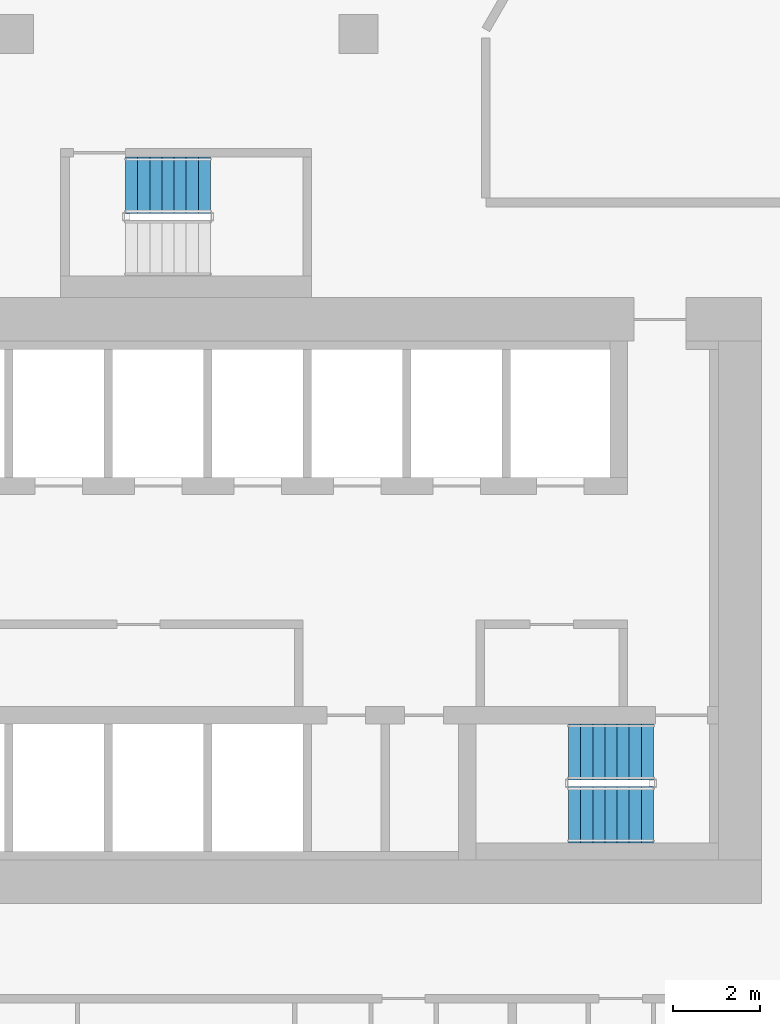
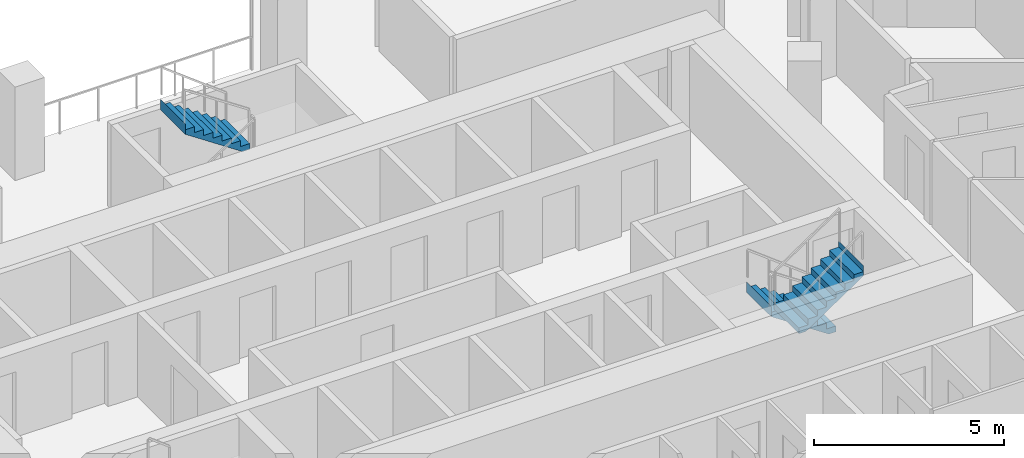
# One storey, part 11 of 15: 3 stair flights, 2 elements without a shape of their own.
"""IFC4 building model written with IfcOpenShell, lengths in metres."""

from ifc_helpers import new_model, si_unit, direction, frame, origin, place, context, subcontext, project, spatial, triangles, material, type_object, element, aggregate, save


model = new_model("IFC4")

# Units and contexts
model_context = context("Model", 3, precision=1e-05, world=origin(), true_north=direction((0.0, 1.0)))
body_context = subcontext(model_context, "Body", "Model", "MODEL_VIEW")
ifc_project = project(units=[si_unit("LENGTHUNIT", "METRE"), si_unit("AREAUNIT", "SQUARE_METRE"), si_unit("VOLUMEUNIT", "CUBIC_METRE"), si_unit("PLANEANGLEUNIT", "RADIAN"), si_unit("MASSUNIT", "GRAM", prefix="KILO")], contexts=[model_context])

# Site, building, storey
site_placement = place(None, origin())
site = spatial("IfcSite", under=ifc_project, at=site_placement, CompositionType="ELEMENT")
building_placement = place(site_placement, origin())
building = spatial("IfcBuilding", under=site, at=building_placement, Name="Beryl Residences", CompositionType="ELEMENT")
storey_placement = place(building_placement, frame((0.0, 0.0, 84.0)))
storey = spatial("IfcBuildingStorey", under=building, at=storey_placement, Name="L25", CompositionType="ELEMENT", Elevation=84.0)

# Stair, stair flights
ifc_material_1 = material(Name="Concrete C40/50", Category="concrete")
stair_type = type_object("IfcStairType", Name="ST1 protected exit stair, half-turn, 1300 mm flights", PredefinedType="HALF_TURN_STAIR", material=ifc_material_1)
stair_1_placement = place(storey_placement, origin())
stair_1 = element("IfcStair", 1, at=stair_1_placement, inside=storey, type_object=stair_type, Name="L25 PROTECTED EXIT STAIR ST-3", PredefinedType="HALF_TURN_STAIR")
ifc_material_2 = material(Name="Concrete C40/50", Category="concrete")
stair_flight_type = type_object("IfcStairFlightType", Name="SF1 stair flight 1300 mm", PredefinedType="STRAIGHT", material=ifc_material_2)
stair_flight_1_placement = place(storey_placement, frame((10.800048828125, -15.5, 0.0), z_axis=(0.0, 0.0, 1.0), x_axis=(-1.0, 0.0, 0.0)))
stair_flight_1 = element("IfcStairFlight", 2, at=stair_flight_1_placement, type_object=stair_flight_type, Name="ST-3 flight 1", NumberOfRisers=8, NumberOfTreads=7, PredefinedType="STRAIGHT", RiserHeight=0.1875, TreadLength=0.28, context=body_context, shape_type="Tessellation", body=[
    triangles([(0.0, -0.64990234375, 0.0), (0.0, -0.324951171875, 0.0), (0.0, 0.0, 0.0), (0.0, 0.324951171875, 0.0), (0.0, 0.64990234375, 0.0), (0.0, -0.64990234375, 0.1875), (0.0, -0.324951171875, 0.1875), (0.0, 0.0, 0.1875), (0.0, 0.324951171875, 0.1875), (0.0, 0.64990234375, 0.1875), (0.280029296875, -0.64990234375, 0.1875), (0.280029296875, -0.324951171875, 0.1875), (0.280029296875, 0.0, 0.1875), (0.280029296875, 0.324951171875, 0.1875), (0.280029296875, 0.64990234375, 0.1875), (0.280029296875, -0.64990234375, 0.375), (0.280029296875, -0.324951171875, 0.375), (0.280029296875, 0.0, 0.375), (0.280029296875, 0.324951171875, 0.375), (0.280029296875, 0.64990234375, 0.375), (0.56005859375, -0.64990234375, 0.375), (0.56005859375, -0.324951171875, 0.375), (0.56005859375, 0.0, 0.375), (0.56005859375, 0.324951171875, 0.375), (0.56005859375, 0.64990234375, 0.375), (0.56005859375, -0.64990234375, 0.5625), (0.56005859375, -0.324951171875, 0.5625), (0.56005859375, 0.0, 0.5625), (0.56005859375, 0.324951171875, 0.5625), (0.56005859375, 0.64990234375, 0.5625), (0.840087890625, -0.64990234375, 0.5625), (0.840087890625, -0.324951171875, 0.5625), (0.840087890625, 0.0, 0.5625), (0.840087890625, 0.324951171875, 0.5625), (0.840087890625, 0.64990234375, 0.5625), (0.840087890625, -0.64990234375, 0.75), (0.840087890625, -0.324951171875, 0.75), (0.840087890625, 0.0, 0.75), (0.840087890625, 0.324951171875, 0.75), (0.840087890625, 0.64990234375, 0.75), (1.1201171875, -0.64990234375, 0.75), (1.1201171875, -0.324951171875, 0.75), (1.1201171875, 0.0, 0.75), (1.1201171875, 0.324951171875, 0.75), (1.1201171875, 0.64990234375, 0.75), (1.1201171875, -0.64990234375, 0.9375), (1.1201171875, -0.324951171875, 0.9375), (1.1201171875, 0.0, 0.9375), (1.1201171875, 0.324951171875, 0.9375), (1.1201171875, 0.64990234375, 0.9375), (1.39990234375, -0.64990234375, 0.9375), (1.39990234375, -0.324951171875, 0.9375), (1.39990234375, 0.0, 0.9375), (1.39990234375, 0.324951171875, 0.9375), (1.39990234375, 0.64990234375, 0.9375), (1.39990234375, -0.64990234375, 1.125), (1.39990234375, -0.324951171875, 1.125), (1.39990234375, 0.0, 1.125), (1.39990234375, 0.324951171875, 1.125), (1.39990234375, 0.64990234375, 1.125), (1.679931640625, -0.64990234375, 1.125), (1.679931640625, -0.324951171875, 1.125), (1.679931640625, 0.0, 1.125), (1.679931640625, 0.324951171875, 1.125), (1.679931640625, 0.64990234375, 1.125), (1.679931640625, -0.64990234375, 1.3125), (1.679931640625, -0.324951171875, 1.3125), (1.679931640625, 0.0, 1.3125), (1.679931640625, 0.324951171875, 1.3125), (1.679931640625, 0.64990234375, 1.3125), (1.9599609375, -0.64990234375, 1.3125), (1.9599609375, -0.324951171875, 1.3125), (1.9599609375, 0.0, 1.3125), (1.9599609375, 0.324951171875, 1.3125), (1.9599609375, 0.64990234375, 1.3125), (1.9599609375, -0.64990234375, 1.5), (1.9599609375, -0.324951171875, 1.5), (1.9599609375, 0.0, 1.5), (1.9599609375, 0.324951171875, 1.5), (1.9599609375, 0.64990234375, 1.5), (1.9609375, -0.64990234375, 1.5), (1.9609375, -0.324951171875, 1.5), (1.9609375, 0.0, 1.5), (1.9609375, 0.324951171875, 1.5), (1.9609375, 0.64990234375, 1.5), (1.9609375, -0.64990234375, 1.16796875), (1.9609375, -0.324951171875, 1.16796875), (1.9609375, 0.0, 1.16796875), (1.9609375, 0.324951171875, 1.16796875), (1.9609375, 0.64990234375, 1.16796875), (0.216796875, -0.64990234375, 0.0), (0.216796875, -0.324951171875, 0.0), (0.216796875, 0.0, 0.0), (0.216796875, 0.324951171875, 0.0), (0.216796875, 0.64990234375, 0.0)], [[1, 6, 7], [1, 7, 2], [2, 7, 8], [2, 8, 3], [3, 8, 9], [3, 9, 4], [4, 9, 10], [4, 10, 5], [6, 11, 12], [6, 12, 7], [7, 12, 13], [7, 13, 8], [8, 13, 14], [8, 14, 9], [9, 14, 15], [9, 15, 10], [11, 16, 17], [11, 17, 12], [12, 17, 18], [12, 18, 13], [13, 18, 19], [13, 19, 14], [14, 19, 20], [14, 20, 15], [16, 21, 22], [16, 22, 17], [17, 22, 23], [17, 23, 18], [18, 23, 24], [18, 24, 19], [19, 24, 25], [19, 25, 20], [21, 26, 27], [21, 27, 22], [22, 27, 28], [22, 28, 23], [23, 28, 29], [23, 29, 24], [24, 29, 30], [24, 30, 25], [26, 31, 32], [26, 32, 27], [27, 32, 33], [27, 33, 28], [28, 33, 34], [28, 34, 29], [29, 34, 35], [29, 35, 30], [31, 36, 37], [31, 37, 32], [32, 37, 38], [32, 38, 33], [33, 38, 39], [33, 39, 34], [34, 39, 40], [34, 40, 35], [36, 41, 42], [36, 42, 37], [37, 42, 43], [37, 43, 38], [38, 43, 44], [38, 44, 39], [39, 44, 45], [39, 45, 40], [41, 46, 47], [41, 47, 42], [42, 47, 48], [42, 48, 43], [43, 48, 49], [43, 49, 44], [44, 49, 50], [44, 50, 45], [46, 51, 52], [46, 52, 47], [47, 52, 53], [47, 53, 48], [48, 53, 54], [48, 54, 49], [49, 54, 55], [49, 55, 50], [51, 56, 57], [51, 57, 52], [52, 57, 58], [52, 58, 53], [53, 58, 59], [53, 59, 54], [54, 59, 60], [54, 60, 55], [56, 61, 62], [56, 62, 57], [57, 62, 63], [57, 63, 58], [58, 63, 64], [58, 64, 59], [59, 64, 65], [59, 65, 60], [61, 66, 67], [61, 67, 62], [62, 67, 68], [62, 68, 63], [63, 68, 69], [63, 69, 64], [64, 69, 70], [64, 70, 65], [66, 71, 72], [66, 72, 67], [67, 72, 73], [67, 73, 68], [68, 73, 74], [68, 74, 69], [69, 74, 75], [69, 75, 70], [71, 76, 77], [71, 77, 72], [72, 77, 78], [72, 78, 73], [73, 78, 79], [73, 79, 74], [74, 79, 80], [74, 80, 75], [76, 81, 82], [76, 82, 77], [77, 82, 83], [77, 83, 78], [78, 83, 84], [78, 84, 79], [79, 84, 85], [79, 85, 80], [81, 86, 87], [81, 87, 82], [82, 87, 88], [82, 88, 83], [83, 88, 89], [83, 89, 84], [84, 89, 90], [84, 90, 85], [86, 91, 92], [86, 92, 87], [87, 92, 93], [87, 93, 88], [88, 93, 94], [88, 94, 89], [89, 94, 95], [89, 95, 90], [91, 1, 2], [91, 2, 92], [92, 2, 3], [92, 3, 93], [93, 3, 4], [93, 4, 94], [94, 4, 5], [94, 5, 95], [1, 91, 86], [5, 90, 95], [86, 81, 76], [90, 80, 85], [86, 76, 71], [90, 75, 80], [86, 71, 66], [90, 70, 75], [86, 66, 61], [90, 65, 70], [61, 56, 51], [65, 55, 60], [86, 61, 51], [90, 55, 65], [51, 46, 41], [55, 45, 50], [86, 51, 41], [90, 45, 55], [41, 36, 31], [45, 35, 40], [86, 41, 31], [90, 35, 45], [31, 26, 21], [35, 25, 30], [86, 31, 21], [90, 25, 35], [21, 16, 11], [25, 15, 20], [86, 21, 11], [90, 15, 25], [1, 86, 11], [5, 15, 90], [11, 6, 1], [15, 5, 10]], closed=True),
])
stair_flight_2_placement = place(storey_placement, frame((8.840087890625, -16.949951171875, 1.5), z_axis=(0.0, 0.0, 1.0), x_axis=(1.0, 0.0, 0.0)))
stair_flight_2 = element("IfcStairFlight", 3, at=stair_flight_2_placement, type_object=stair_flight_type, Name="ST-3 flight 2", NumberOfRisers=8, NumberOfTreads=7, PredefinedType="STRAIGHT", RiserHeight=0.1875, TreadLength=0.28, context=body_context, shape_type="Tessellation", body=[
    triangles([(0.0, -0.64990234375, 0.0), (0.0, -0.324951171875, 0.0), (0.0, 0.0, 0.0), (0.0, 0.324951171875, 0.0), (0.0, 0.64990234375, 0.0), (0.0, -0.64990234375, 0.1875), (0.0, -0.324951171875, 0.1875), (0.0, 0.0, 0.1875), (0.0, 0.324951171875, 0.1875), (0.0, 0.64990234375, 0.1875), (0.280029296875, -0.64990234375, 0.1875), (0.280029296875, -0.324951171875, 0.1875), (0.280029296875, 0.0, 0.1875), (0.280029296875, 0.324951171875, 0.1875), (0.280029296875, 0.64990234375, 0.1875), (0.280029296875, -0.64990234375, 0.375), (0.280029296875, -0.324951171875, 0.375), (0.280029296875, 0.0, 0.375), (0.280029296875, 0.324951171875, 0.375), (0.280029296875, 0.64990234375, 0.375), (0.56005859375, -0.64990234375, 0.375), (0.56005859375, -0.324951171875, 0.375), (0.56005859375, 0.0, 0.375), (0.56005859375, 0.324951171875, 0.375), (0.56005859375, 0.64990234375, 0.375), (0.56005859375, -0.64990234375, 0.5625), (0.56005859375, -0.324951171875, 0.5625), (0.56005859375, 0.0, 0.5625), (0.56005859375, 0.324951171875, 0.5625), (0.56005859375, 0.64990234375, 0.5625), (0.840087890625, -0.64990234375, 0.5625), (0.840087890625, -0.324951171875, 0.5625), (0.840087890625, 0.0, 0.5625), (0.840087890625, 0.324951171875, 0.5625), (0.840087890625, 0.64990234375, 0.5625), (0.840087890625, -0.64990234375, 0.75), (0.840087890625, -0.324951171875, 0.75), (0.840087890625, 0.0, 0.75), (0.840087890625, 0.324951171875, 0.75), (0.840087890625, 0.64990234375, 0.75), (1.1201171875, -0.64990234375, 0.75), (1.1201171875, -0.324951171875, 0.75), (1.1201171875, 0.0, 0.75), (1.1201171875, 0.324951171875, 0.75), (1.1201171875, 0.64990234375, 0.75), (1.1201171875, -0.64990234375, 0.9375), (1.1201171875, -0.324951171875, 0.9375), (1.1201171875, 0.0, 0.9375), (1.1201171875, 0.324951171875, 0.9375), (1.1201171875, 0.64990234375, 0.9375), (1.39990234375, -0.64990234375, 0.9375), (1.39990234375, -0.324951171875, 0.9375), (1.39990234375, 0.0, 0.9375), (1.39990234375, 0.324951171875, 0.9375), (1.39990234375, 0.64990234375, 0.9375), (1.39990234375, -0.64990234375, 1.125), (1.39990234375, -0.324951171875, 1.125), (1.39990234375, 0.0, 1.125), (1.39990234375, 0.324951171875, 1.125), (1.39990234375, 0.64990234375, 1.125), (1.679931640625, -0.64990234375, 1.125), (1.679931640625, -0.324951171875, 1.125), (1.679931640625, 0.0, 1.125), (1.679931640625, 0.324951171875, 1.125), (1.679931640625, 0.64990234375, 1.125), (1.679931640625, -0.64990234375, 1.3125), (1.679931640625, -0.324951171875, 1.3125), (1.679931640625, 0.0, 1.3125), (1.679931640625, 0.324951171875, 1.3125), (1.679931640625, 0.64990234375, 1.3125), (1.9599609375, -0.64990234375, 1.3125), (1.9599609375, -0.324951171875, 1.3125), (1.9599609375, 0.0, 1.3125), (1.9599609375, 0.324951171875, 1.3125), (1.9599609375, 0.64990234375, 1.3125), (1.9599609375, -0.64990234375, 1.5), (1.9599609375, -0.324951171875, 1.5), (1.9599609375, 0.0, 1.5), (1.9599609375, 0.324951171875, 1.5), (1.9599609375, 0.64990234375, 1.5), (1.9609375, -0.64990234375, 1.5), (1.9609375, -0.324951171875, 1.5), (1.9609375, 0.0, 1.5), (1.9609375, 0.324951171875, 1.5), (1.9609375, 0.64990234375, 1.5), (1.9609375, -0.64990234375, 1.16796875), (1.9609375, -0.324951171875, 1.16796875), (1.9609375, 0.0, 1.16796875), (1.9609375, 0.324951171875, 1.16796875), (1.9609375, 0.64990234375, 1.16796875), (0.216796875, -0.64990234375, 0.0), (0.216796875, -0.324951171875, 0.0), (0.216796875, 0.0, 0.0), (0.216796875, 0.324951171875, 0.0), (0.216796875, 0.64990234375, 0.0)], [[1, 6, 7], [1, 7, 2], [2, 7, 8], [2, 8, 3], [3, 8, 9], [3, 9, 4], [4, 9, 10], [4, 10, 5], [6, 11, 12], [6, 12, 7], [7, 12, 13], [7, 13, 8], [8, 13, 14], [8, 14, 9], [9, 14, 15], [9, 15, 10], [11, 16, 17], [11, 17, 12], [12, 17, 18], [12, 18, 13], [13, 18, 19], [13, 19, 14], [14, 19, 20], [14, 20, 15], [16, 21, 22], [16, 22, 17], [17, 22, 23], [17, 23, 18], [18, 23, 24], [18, 24, 19], [19, 24, 25], [19, 25, 20], [21, 26, 27], [21, 27, 22], [22, 27, 28], [22, 28, 23], [23, 28, 29], [23, 29, 24], [24, 29, 30], [24, 30, 25], [26, 31, 32], [26, 32, 27], [27, 32, 33], [27, 33, 28], [28, 33, 34], [28, 34, 29], [29, 34, 35], [29, 35, 30], [31, 36, 37], [31, 37, 32], [32, 37, 38], [32, 38, 33], [33, 38, 39], [33, 39, 34], [34, 39, 40], [34, 40, 35], [36, 41, 42], [36, 42, 37], [37, 42, 43], [37, 43, 38], [38, 43, 44], [38, 44, 39], [39, 44, 45], [39, 45, 40], [41, 46, 47], [41, 47, 42], [42, 47, 48], [42, 48, 43], [43, 48, 49], [43, 49, 44], [44, 49, 50], [44, 50, 45], [46, 51, 52], [46, 52, 47], [47, 52, 53], [47, 53, 48], [48, 53, 54], [48, 54, 49], [49, 54, 55], [49, 55, 50], [51, 56, 57], [51, 57, 52], [52, 57, 58], [52, 58, 53], [53, 58, 59], [53, 59, 54], [54, 59, 60], [54, 60, 55], [56, 61, 62], [56, 62, 57], [57, 62, 63], [57, 63, 58], [58, 63, 64], [58, 64, 59], [59, 64, 65], [59, 65, 60], [61, 66, 67], [61, 67, 62], [62, 67, 68], [62, 68, 63], [63, 68, 69], [63, 69, 64], [64, 69, 70], [64, 70, 65], [66, 71, 72], [66, 72, 67], [67, 72, 73], [67, 73, 68], [68, 73, 74], [68, 74, 69], [69, 74, 75], [69, 75, 70], [71, 76, 77], [71, 77, 72], [72, 77, 78], [72, 78, 73], [73, 78, 79], [73, 79, 74], [74, 79, 80], [74, 80, 75], [76, 81, 82], [76, 82, 77], [77, 82, 83], [77, 83, 78], [78, 83, 84], [78, 84, 79], [79, 84, 85], [79, 85, 80], [81, 86, 87], [81, 87, 82], [82, 87, 88], [82, 88, 83], [83, 88, 89], [83, 89, 84], [84, 89, 90], [84, 90, 85], [86, 91, 92], [86, 92, 87], [87, 92, 93], [87, 93, 88], [88, 93, 94], [88, 94, 89], [89, 94, 95], [89, 95, 90], [91, 1, 2], [91, 2, 92], [92, 2, 3], [92, 3, 93], [93, 3, 4], [93, 4, 94], [94, 4, 5], [94, 5, 95], [1, 91, 86], [5, 90, 95], [86, 81, 76], [90, 80, 85], [86, 76, 71], [90, 75, 80], [86, 71, 66], [90, 70, 75], [86, 66, 61], [90, 65, 70], [61, 56, 51], [65, 55, 60], [86, 61, 51], [90, 55, 65], [51, 46, 41], [55, 45, 50], [86, 51, 41], [90, 45, 55], [41, 36, 31], [45, 35, 40], [86, 41, 31], [90, 35, 45], [31, 26, 21], [35, 25, 30], [86, 31, 21], [90, 25, 35], [21, 16, 11], [25, 15, 20], [86, 21, 11], [90, 15, 25], [1, 86, 11], [5, 15, 90], [11, 6, 1], [15, 5, 10]], closed=True),
])
aggregate(stair_1, [stair_flight_1, stair_flight_2])

# Stair, stair flight
stair_2_placement = place(storey_placement, origin())
stair_2 = element("IfcStair", 4, at=stair_2_placement, inside=storey, type_object=stair_type, Name="L25 PROTECTED EXIT STAIR ST-4", PredefinedType="HALF_TURN_STAIR")
stair_flight_3_placement = place(storey_placement, frame((0.56005859375, -2.39990234375, 1.5), z_axis=(0.0, 0.0, 1.0), x_axis=(-1.0, 0.0, 0.0)))
stair_flight_3 = element("IfcStairFlight", 5, at=stair_flight_3_placement, type_object=stair_flight_type, Name="ST-4 flight 2", NumberOfRisers=8, NumberOfTreads=7, PredefinedType="STRAIGHT", RiserHeight=0.1875, TreadLength=0.28, context=body_context, shape_type="Tessellation", body=[
    triangles([(0.0, -0.64990234375, 0.0), (0.0, -0.324951171875, 0.0), (0.0, 0.0, 0.0), (0.0, 0.324951171875, 0.0), (0.0, 0.64990234375, 0.0), (0.0, -0.64990234375, 0.1875), (0.0, -0.324951171875, 0.1875), (0.0, 0.0, 0.1875), (0.0, 0.324951171875, 0.1875), (0.0, 0.64990234375, 0.1875), (0.280029296875, -0.64990234375, 0.1875), (0.280029296875, -0.324951171875, 0.1875), (0.280029296875, 0.0, 0.1875), (0.280029296875, 0.324951171875, 0.1875), (0.280029296875, 0.64990234375, 0.1875), (0.280029296875, -0.64990234375, 0.375), (0.280029296875, -0.324951171875, 0.375), (0.280029296875, 0.0, 0.375), (0.280029296875, 0.324951171875, 0.375), (0.280029296875, 0.64990234375, 0.375), (0.56005859375, -0.64990234375, 0.375), (0.56005859375, -0.324951171875, 0.375), (0.56005859375, 0.0, 0.375), (0.56005859375, 0.324951171875, 0.375), (0.56005859375, 0.64990234375, 0.375), (0.56005859375, -0.64990234375, 0.5625), (0.56005859375, -0.324951171875, 0.5625), (0.56005859375, 0.0, 0.5625), (0.56005859375, 0.324951171875, 0.5625), (0.56005859375, 0.64990234375, 0.5625), (0.840087890625, -0.64990234375, 0.5625), (0.840087890625, -0.324951171875, 0.5625), (0.840087890625, 0.0, 0.5625), (0.840087890625, 0.324951171875, 0.5625), (0.840087890625, 0.64990234375, 0.5625), (0.840087890625, -0.64990234375, 0.75), (0.840087890625, -0.324951171875, 0.75), (0.840087890625, 0.0, 0.75), (0.840087890625, 0.324951171875, 0.75), (0.840087890625, 0.64990234375, 0.75), (1.1201171875, -0.64990234375, 0.75), (1.1201171875, -0.324951171875, 0.75), (1.1201171875, 0.0, 0.75), (1.1201171875, 0.324951171875, 0.75), (1.1201171875, 0.64990234375, 0.75), (1.1201171875, -0.64990234375, 0.9375), (1.1201171875, -0.324951171875, 0.9375), (1.1201171875, 0.0, 0.9375), (1.1201171875, 0.324951171875, 0.9375), (1.1201171875, 0.64990234375, 0.9375), (1.39990234375, -0.64990234375, 0.9375), (1.39990234375, -0.324951171875, 0.9375), (1.39990234375, 0.0, 0.9375), (1.39990234375, 0.324951171875, 0.9375), (1.39990234375, 0.64990234375, 0.9375), (1.39990234375, -0.64990234375, 1.125), (1.39990234375, -0.324951171875, 1.125), (1.39990234375, 0.0, 1.125), (1.39990234375, 0.324951171875, 1.125), (1.39990234375, 0.64990234375, 1.125), (1.679931640625, -0.64990234375, 1.125), (1.679931640625, -0.324951171875, 1.125), (1.679931640625, 0.0, 1.125), (1.679931640625, 0.324951171875, 1.125), (1.679931640625, 0.64990234375, 1.125), (1.679931640625, -0.64990234375, 1.3125), (1.679931640625, -0.324951171875, 1.3125), (1.679931640625, 0.0, 1.3125), (1.679931640625, 0.324951171875, 1.3125), (1.679931640625, 0.64990234375, 1.3125), (1.9599609375, -0.64990234375, 1.3125), (1.9599609375, -0.324951171875, 1.3125), (1.9599609375, 0.0, 1.3125), (1.9599609375, 0.324951171875, 1.3125), (1.9599609375, 0.64990234375, 1.3125), (1.9599609375, -0.64990234375, 1.5), (1.9599609375, -0.324951171875, 1.5), (1.9599609375, 0.0, 1.5), (1.9599609375, 0.324951171875, 1.5), (1.9599609375, 0.64990234375, 1.5), (1.9609375, -0.64990234375, 1.5), (1.9609375, -0.324951171875, 1.5), (1.9609375, 0.0, 1.5), (1.9609375, 0.324951171875, 1.5), (1.9609375, 0.64990234375, 1.5), (1.9609375, -0.64990234375, 1.16796875), (1.9609375, -0.324951171875, 1.16796875), (1.9609375, 0.0, 1.16796875), (1.9609375, 0.324951171875, 1.16796875), (1.9609375, 0.64990234375, 1.16796875), (0.216796875, -0.64990234375, 0.0), (0.216796875, -0.324951171875, 0.0), (0.216796875, 0.0, 0.0), (0.216796875, 0.324951171875, 0.0), (0.216796875, 0.64990234375, 0.0)], [[1, 6, 7], [1, 7, 2], [2, 7, 8], [2, 8, 3], [3, 8, 9], [3, 9, 4], [4, 9, 10], [4, 10, 5], [6, 11, 12], [6, 12, 7], [7, 12, 13], [7, 13, 8], [8, 13, 14], [8, 14, 9], [9, 14, 15], [9, 15, 10], [11, 16, 17], [11, 17, 12], [12, 17, 18], [12, 18, 13], [13, 18, 19], [13, 19, 14], [14, 19, 20], [14, 20, 15], [16, 21, 22], [16, 22, 17], [17, 22, 23], [17, 23, 18], [18, 23, 24], [18, 24, 19], [19, 24, 25], [19, 25, 20], [21, 26, 27], [21, 27, 22], [22, 27, 28], [22, 28, 23], [23, 28, 29], [23, 29, 24], [24, 29, 30], [24, 30, 25], [26, 31, 32], [26, 32, 27], [27, 32, 33], [27, 33, 28], [28, 33, 34], [28, 34, 29], [29, 34, 35], [29, 35, 30], [31, 36, 37], [31, 37, 32], [32, 37, 38], [32, 38, 33], [33, 38, 39], [33, 39, 34], [34, 39, 40], [34, 40, 35], [36, 41, 42], [36, 42, 37], [37, 42, 43], [37, 43, 38], [38, 43, 44], [38, 44, 39], [39, 44, 45], [39, 45, 40], [41, 46, 47], [41, 47, 42], [42, 47, 48], [42, 48, 43], [43, 48, 49], [43, 49, 44], [44, 49, 50], [44, 50, 45], [46, 51, 52], [46, 52, 47], [47, 52, 53], [47, 53, 48], [48, 53, 54], [48, 54, 49], [49, 54, 55], [49, 55, 50], [51, 56, 57], [51, 57, 52], [52, 57, 58], [52, 58, 53], [53, 58, 59], [53, 59, 54], [54, 59, 60], [54, 60, 55], [56, 61, 62], [56, 62, 57], [57, 62, 63], [57, 63, 58], [58, 63, 64], [58, 64, 59], [59, 64, 65], [59, 65, 60], [61, 66, 67], [61, 67, 62], [62, 67, 68], [62, 68, 63], [63, 68, 69], [63, 69, 64], [64, 69, 70], [64, 70, 65], [66, 71, 72], [66, 72, 67], [67, 72, 73], [67, 73, 68], [68, 73, 74], [68, 74, 69], [69, 74, 75], [69, 75, 70], [71, 76, 77], [71, 77, 72], [72, 77, 78], [72, 78, 73], [73, 78, 79], [73, 79, 74], [74, 79, 80], [74, 80, 75], [76, 81, 82], [76, 82, 77], [77, 82, 83], [77, 83, 78], [78, 83, 84], [78, 84, 79], [79, 84, 85], [79, 85, 80], [81, 86, 87], [81, 87, 82], [82, 87, 88], [82, 88, 83], [83, 88, 89], [83, 89, 84], [84, 89, 90], [84, 90, 85], [86, 91, 92], [86, 92, 87], [87, 92, 93], [87, 93, 88], [88, 93, 94], [88, 94, 89], [89, 94, 95], [89, 95, 90], [91, 1, 2], [91, 2, 92], [92, 2, 3], [92, 3, 93], [93, 3, 4], [93, 4, 94], [94, 4, 5], [94, 5, 95], [1, 91, 86], [5, 90, 95], [86, 81, 76], [90, 80, 85], [86, 76, 71], [90, 75, 80], [86, 71, 66], [90, 70, 75], [86, 66, 61], [90, 65, 70], [61, 56, 51], [65, 55, 60], [86, 61, 51], [90, 55, 65], [51, 46, 41], [55, 45, 50], [86, 51, 41], [90, 45, 55], [41, 36, 31], [45, 35, 40], [86, 41, 31], [90, 35, 45], [31, 26, 21], [35, 25, 30], [86, 31, 21], [90, 25, 35], [21, 16, 11], [25, 15, 20], [86, 21, 11], [90, 15, 25], [1, 86, 11], [5, 15, 90], [11, 6, 1], [15, 5, 10]], closed=True),
])
aggregate(stair_2, [stair_flight_3])

save(model, "model.ifc")
